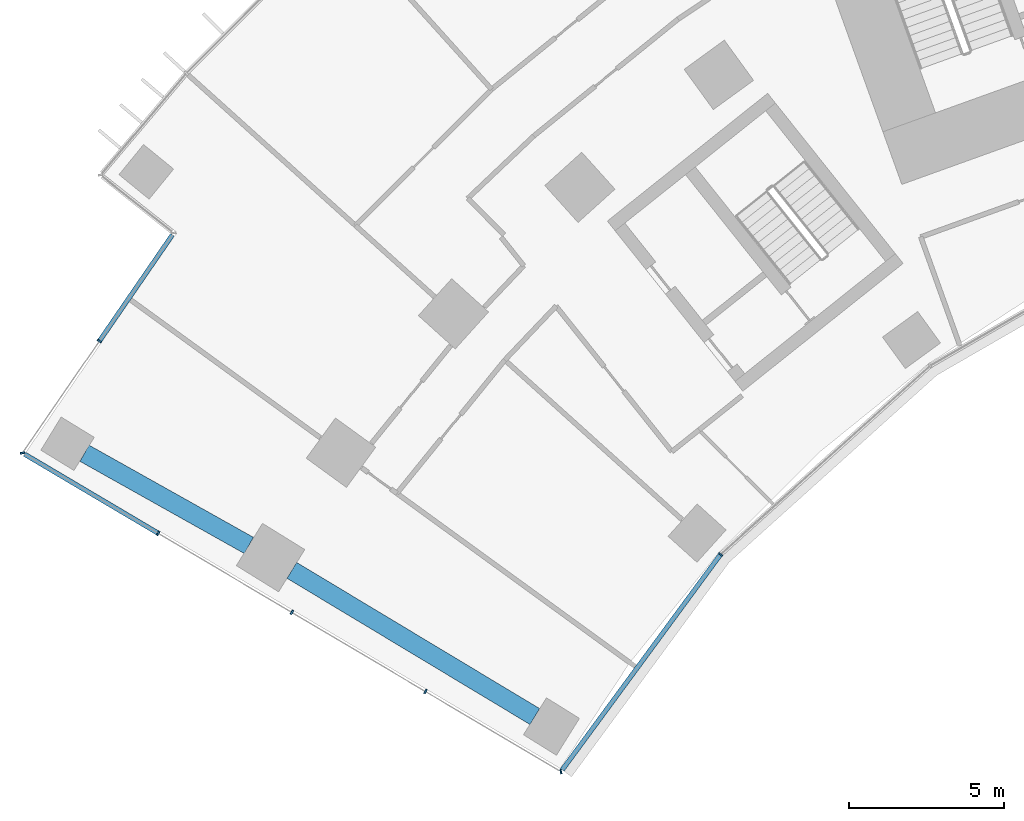
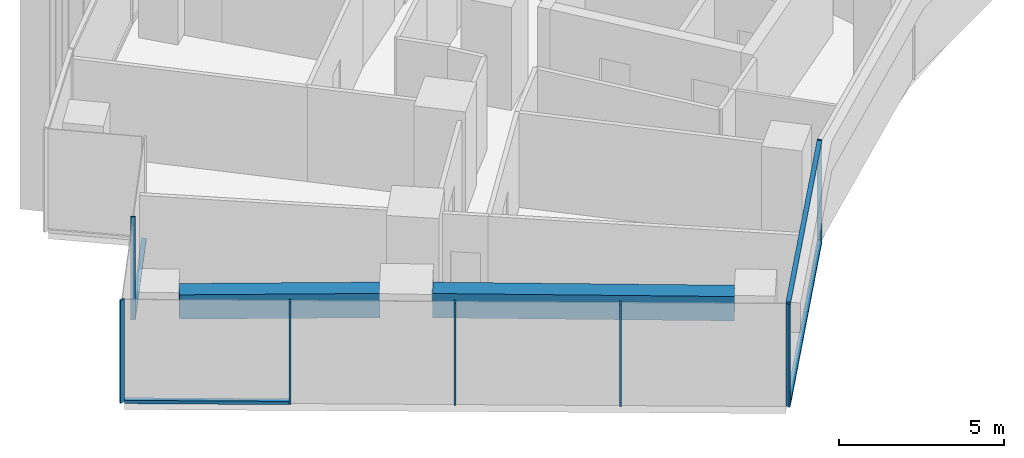
# One storey, part 2 of 25: 11 members, 2 beams, 3 elements without a shape of their own.
"""IFC4 building model written with IfcOpenShell, lengths in metres."""

from ifc_helpers import new_model, si_unit, direction, frame, origin, origin_2d, place, context, subcontext, project, spatial, rectangle, extrude, material, layer, layer_set, material_profile, profile_set, type_object, element, aggregate, save


model = new_model("IFC4")

# Units and contexts
model_context = context("Model", 3, precision=1e-05, world=origin(), true_north=direction((0.0, 1.0)))
body_context = subcontext(model_context, "Body", "Model", "MODEL_VIEW")
ifc_project = project(units=[si_unit("LENGTHUNIT", "METRE"), si_unit("AREAUNIT", "SQUARE_METRE"), si_unit("VOLUMEUNIT", "CUBIC_METRE"), si_unit("PLANEANGLEUNIT", "RADIAN"), si_unit("MASSUNIT", "GRAM", prefix="KILO")], contexts=[model_context])

# Site, building, storey
site_placement = place(None, origin())
site = spatial("IfcSite", under=ifc_project, at=site_placement, CompositionType="ELEMENT")
building_placement = place(site_placement, origin())
building = spatial("IfcBuilding", under=site, at=building_placement, Name="Stone Belt Terrace Tower", CompositionType="ELEMENT")
storey_placement = place(building_placement, frame((0.0, 0.0, 52.800048828125)))
storey = spatial("IfcBuildingStorey", under=building, at=storey_placement, Name="L12", CompositionType="ELEMENT", Elevation=52.800048828125)

# Curtain wall, members
ifc_material_1 = material(Name="Aluminium 6063-T6 anodised frame", Category="aluminium")
ifc_layer_1 = layer(ifc_material_1, 0.14990234375)
ifc_layer_set_1 = layer_set([ifc_layer_1], Name="CW-B unitised concave-face curtain wall")
curtain_wall_type_1 = type_object("IfcCurtainWallType", Name="CW-B unitised concave-face curtain wall", PredefinedType="NOTDEFINED", material=ifc_layer_set_1)
curtain_wall_1_placement = place(storey_placement, origin())
curtain_wall_1 = element("IfcCurtainWall", 1, at=curtain_wall_1_placement, inside=storey, type_object=curtain_wall_type_1, Name="CW-B concave face L12", PredefinedType="NOTDEFINED")
ifc_material_profile_1 = material_profile(ifc_material_1, rectangle(XDim=0.14990234375, YDim=0.050048828125, at=origin_2d()), Name="Aluminium 6063-T6 50x150")
ifc_profile_set_1 = profile_set([ifc_material_profile_1], Name="Aluminium 6063-T6 anodised frame")
member_type_1 = type_object("IfcMemberType", Name="CW-B mullion 50 x 150", PredefinedType="MULLION", material=ifc_profile_set_1)
member_1_placement = place(storey_placement, frame((-37.4140625, 22.0576171875, 0.0), z_axis=(0.0, 0.0, 1.0), x_axis=(-0.199957039009, 0.979804665508, 0.0)))
member_1 = element("IfcMember", 2, at=member_1_placement, type_object=member_type_1, Name="CW-B mullion 1", PredefinedType="MULLION", context=body_context, shape_type="SweptSolid", body=[
    extrude(rectangle(XDim=0.14990234375, YDim=0.050048828125, at=origin_2d()), origin(), (0.0, 0.0, 1.0), 3.800048828125),
])
member_2_placement = place(storey_placement, frame((-32.27099609375, 29.056640625, 0.0), z_axis=(0.0, 0.0, 1.0), x_axis=(-0.741329775891, 0.671140941515, 0.0)))
member_2 = element("IfcMember", 3, at=member_2_placement, type_object=member_type_1, Name="CW-B mullion 2", PredefinedType="MULLION", context=body_context, shape_type="SweptSolid", body=[
    extrude(rectangle(XDim=0.14990234375, YDim=0.050048828125, at=origin_2d()), origin(), (0.0, 0.0, 1.0), 3.800048828125),
])
ifc_material_profile_2 = material_profile(ifc_material_1, rectangle(XDim=0.14990234375, YDim=0.1201171875, at=origin_2d()), Name="Aluminium 6063-T6 150x120")
ifc_profile_set_2 = profile_set([ifc_material_profile_2], Name="Aluminium 6063-T6 anodised frame")
member_type_2 = type_object("IfcMemberType", Name="CW-B transom 120 x 150", PredefinedType="USERDEFINED", material=ifc_profile_set_2)
member_3_placement = place(storey_placement, frame((-37.373291015625, 22.11328125, 0.06005859375), z_axis=(0.592180847905, 0.805805090189, 0.0), x_axis=(-0.805805090189, 0.592180847905, 0.0)))
member_3 = element("IfcMember", 4, at=member_3_placement, type_object=member_type_2, Name="CW-B transom 1.1", ObjectType="TRANSOM", PredefinedType="USERDEFINED", context=body_context, shape_type="SweptSolid", body=[
    extrude(rectangle(XDim=0.14990234375, YDim=0.1201171875, at=origin_2d()), origin(), (0.0, 0.0, 1.0), 8.583984375),
])
member_4_placement = place(storey_placement, frame((-37.373291015625, 22.11328125, 3.739990234375), z_axis=(0.592180847905, 0.805805090189, 0.0), x_axis=(-0.805805090189, 0.592180847905, 0.0)))
member_4 = element("IfcMember", 5, at=member_4_placement, type_object=member_type_2, Name="CW-B transom 1.2", ObjectType="TRANSOM", PredefinedType="USERDEFINED", context=body_context, shape_type="SweptSolid", body=[
    extrude(rectangle(XDim=0.14990234375, YDim=0.1201171875, at=origin_2d()), origin(), (0.0, 0.0, 1.0), 8.583984375),
])
aggregate(curtain_wall_1, [member_1, member_2, member_3, member_4])

# Curtain wall, member
ifc_layer_2 = layer(ifc_material_1, 0.14990234375)
ifc_layer_set_2 = layer_set([ifc_layer_2], Name="CW-C stick curtain wall, horn ends and notches")
curtain_wall_type_2 = type_object("IfcCurtainWallType", Name="CW-C stick curtain wall, horn ends and notches", PredefinedType="NOTDEFINED", material=ifc_layer_set_2)
curtain_wall_2_placement = place(storey_placement, origin())
curtain_wall_2 = element("IfcCurtainWall", 6, at=curtain_wall_2_placement, inside=storey, type_object=curtain_wall_type_2, Name="CW-C notch face L12", PredefinedType="NOTDEFINED")
ifc_material_profile_3 = material_profile(ifc_material_1, rectangle(XDim=0.14990234375, YDim=0.06005859375, at=origin_2d()), Name="Aluminium 6063-T6 60x150")
ifc_profile_set_3 = profile_set([ifc_material_profile_3], Name="Aluminium 6063-T6 anodised frame")
member_type_3 = type_object("IfcMemberType", Name="CW-C mullion 60 x 150", PredefinedType="MULLION", material=ifc_profile_set_3)
member_5_placement = place(storey_placement, frame((-52.275390625, 35.925048828125, 0.0), z_axis=(0.0, 0.0, 1.0), x_axis=(0.824146991357, -0.566375967567, 0.0)))
member_5 = element("IfcMember", 7, at=member_5_placement, type_object=member_type_3, Name="CW-C mullion 2", PredefinedType="MULLION", context=body_context, shape_type="SweptSolid", body=[
    extrude(rectangle(XDim=0.14990234375, YDim=0.06005859375, at=origin_2d()), origin(), (0.0, 0.0, 1.0), 3.800048828125),
])

# Curtain wall, members
curtain_wall_3_placement = place(storey_placement, origin())
curtain_wall_3 = element("IfcCurtainWall", 8, at=curtain_wall_3_placement, inside=storey, type_object=curtain_wall_type_2, Name="CW-C end face L12", PredefinedType="NOTDEFINED")
member_6_placement = place(storey_placement, frame((-54.752685546875, 32.3203125, 0.0), z_axis=(0.0, 0.0, 1.0), x_axis=(0.976519557331, 0.215428768157, 0.0)))
member_6 = element("IfcMember", 9, at=member_6_placement, type_object=member_type_3, Name="CW-C mullion 1", PredefinedType="MULLION", context=body_context, shape_type="SweptSolid", body=[
    extrude(rectangle(XDim=0.14990234375, YDim=0.06005859375, at=origin_2d()), origin(), (0.0, 0.0, 1.0), 3.800048828125),
])
member_7_placement = place(storey_placement, frame((-50.380859375, 29.732666015625, 0.0), z_axis=(0.0, 0.0, 1.0), x_axis=(0.509352918793, 0.860557728521, 0.0)))
member_7 = element("IfcMember", 10, at=member_7_placement, type_object=member_type_3, Name="CW-C mullion 2", PredefinedType="MULLION", context=body_context, shape_type="SweptSolid", body=[
    extrude(rectangle(XDim=0.14990234375, YDim=0.06005859375, at=origin_2d()), origin(), (0.0, 0.0, 1.0), 3.800048828125),
])
member_8_placement = place(storey_placement, frame((-46.078125, 27.185791015625, 0.0), z_axis=(0.0, 0.0, 1.0), x_axis=(0.509352918793, 0.860557728521, 0.0)))
member_8 = element("IfcMember", 11, at=member_8_placement, type_object=member_type_3, Name="CW-C mullion 3", PredefinedType="MULLION", context=body_context, shape_type="SweptSolid", body=[
    extrude(rectangle(XDim=0.14990234375, YDim=0.06005859375, at=origin_2d()), origin(), (0.0, 0.0, 1.0), 3.800048828125),
])
member_9_placement = place(storey_placement, frame((-41.775146484375, 24.63916015625, 0.0), z_axis=(0.0, 0.0, 1.0), x_axis=(0.509352918793, 0.860557728521, 0.0)))
member_9 = element("IfcMember", 12, at=member_9_placement, type_object=member_type_3, Name="CW-C mullion 4", PredefinedType="MULLION", context=body_context, shape_type="SweptSolid", body=[
    extrude(rectangle(XDim=0.14990234375, YDim=0.06005859375, at=origin_2d()), origin(), (0.0, 0.0, 1.0), 3.800048828125),
])

# Member
ifc_material_profile_4 = material_profile(ifc_material_1, rectangle(XDim=0.14990234375, YDim=0.1201171875, at=origin_2d()), Name="Aluminium 6063-T6 150x120")
ifc_profile_set_4 = profile_set([ifc_material_profile_4], Name="Aluminium 6063-T6 anodised frame")
member_type_4 = type_object("IfcMemberType", Name="CW-C transom 120 x 150", PredefinedType="USERDEFINED", material=ifc_profile_set_4)
member_10_placement = place(storey_placement, frame((-49.924560546875, 39.345703125, 0.06005859375), z_axis=(-0.566362850847, -0.824156005365, 0.0), x_axis=(0.824156005365, -0.566362850847, 0.0)))
member_10 = element("IfcMember", 13, at=member_10_placement, type_object=member_type_4, Name="CW-C transom 1.1", ObjectType="TRANSOM", PredefinedType="USERDEFINED", context=body_context, shape_type="SweptSolid", body=[
    extrude(rectangle(XDim=0.14990234375, YDim=0.1201171875, at=origin_2d()), origin(), (0.0, 0.0, 1.0), 4.12060546875),
])

aggregate(curtain_wall_2, [member_5, member_10])

member_11_placement = place(storey_placement, frame((-54.68798828125, 32.281982421875, 0.06005859375), z_axis=(0.860543319846, -0.509377261633, 0.0), x_axis=(0.509377261633, 0.860543319846, 0.0)))
member_11 = element("IfcMember", 14, at=member_11_placement, type_object=member_type_4, Name="CW-C transom 1.1", ObjectType="TRANSOM", PredefinedType="USERDEFINED", context=body_context, shape_type="SweptSolid", body=[
    extrude(rectangle(XDim=0.14990234375, YDim=0.1201171875, at=origin_2d()), origin(), (0.0, 0.0, 1.0), 4.97509765625),
])

aggregate(curtain_wall_3, [member_6, member_7, member_8, member_9, member_11])

# Beams
ifc_material_2 = material(Name="Concrete B60", Category="concrete")
ifc_material_profile_5 = material_profile(ifc_material_2, rectangle(XDim=0.60009765625, YDim=0.89990234375, at=origin_2d()), Name="RC 600x900")
ifc_profile_set_5 = profile_set([ifc_material_profile_5], Name="Concrete B60")
beam_type = type_object("IfcBeamType", Name="Edge beam RC 600x900 B60", PredefinedType="SPANDREL", material=ifc_profile_set_5)
beam_1_placement = place(storey_placement, frame((-38.253662109375, 23.83203125, 3.030029296875), z_axis=(-0.856900189152, 0.51548236229, 0.0), x_axis=(-0.51548236229, -0.856900189152, 0.0)))
element("IfcBeam", 15, at=beam_1_placement, inside=storey, type_object=beam_type, Name="Edge beam L12 A P to Q", PredefinedType="SPANDREL", context=body_context, shape_type="SweptSolid", body=[
    extrude(rectangle(XDim=0.60009765625, YDim=0.89990234375, at=origin_2d()), origin(), (0.0, 0.0, 1.0), 9.130859375),
])
beam_2_placement = place(storey_placement, frame((-47.4619140625, 29.3427734375, 3.030029296875), z_axis=(-0.872212947991, 0.489126336806, 0.0), x_axis=(-0.489126336806, -0.872212947991, 0.0)))
element("IfcBeam", 16, at=beam_2_placement, inside=storey, type_object=beam_type, Name="Edge beam L12 A Q to R", PredefinedType="SPANDREL", context=body_context, shape_type="SweptSolid", body=[
    extrude(rectangle(XDim=0.60009765625, YDim=0.89990234375, at=origin_2d()), origin(), (0.0, 0.0, 1.0), 6.069091796875),
])

save(model, "model.ifc")
